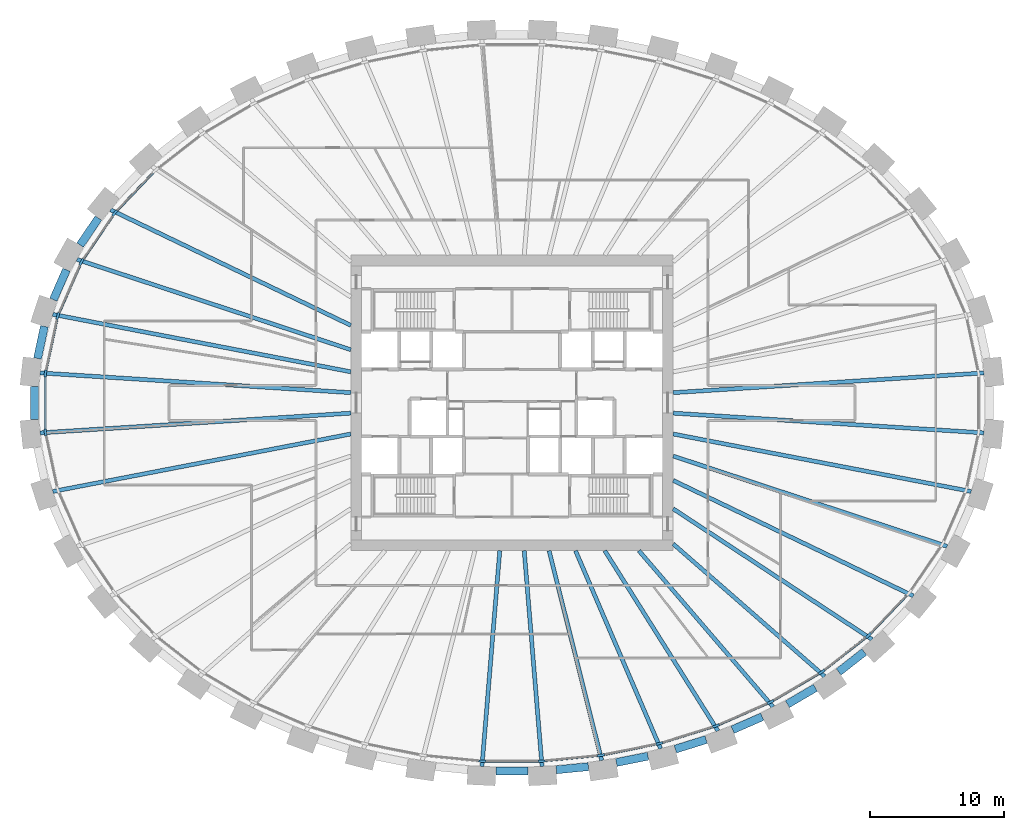
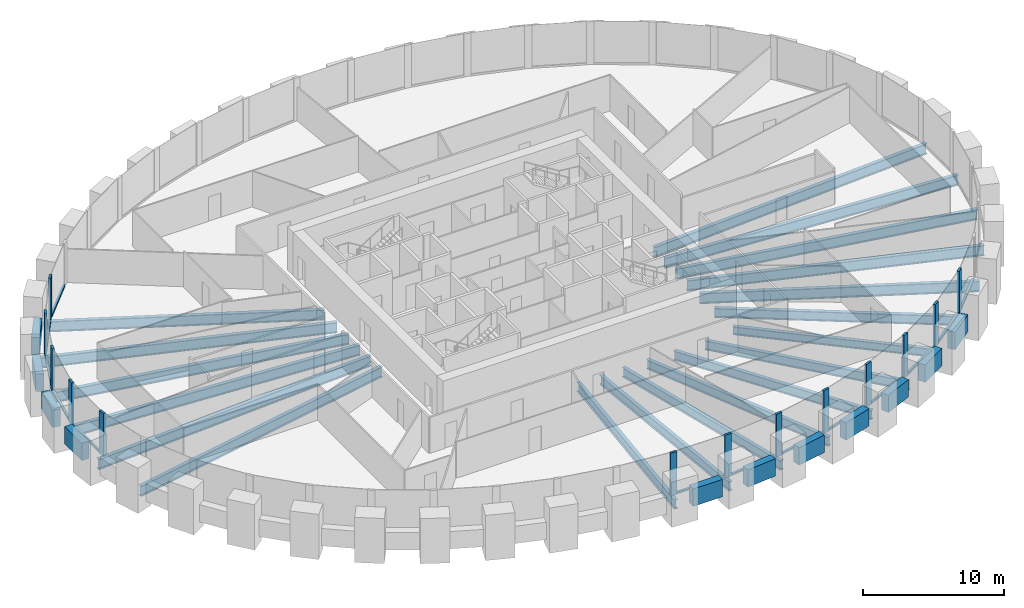
# One storey, part 2 of 11: 30 beams, 26 members, 1 element without a shape of its own.
"""IFC4 building model written with IfcOpenShell, lengths in metres."""

import ifcopenshell
import ifcopenshell.guid

model = None  # the IFC model being written
_history = None  # IfcOwnerHistory: only IFC2X3 demands one
_inside = {}  # id of a spatial element -> (the spatial element, [elements in it])
_under = {}  # id of a project, library or spatial element -> (it, [spatial elements below it])
_declared = {}  # id of a project -> (the project, [libraries it declares])
_typed = {}  # id of a type object -> (the type object, [elements of that type])
_made_of = {}  # id of a material, layer set ... -> (it, [elements and type objects made of it])


def new_model(schema):
    """Start an empty IFC model of exactly this schema.

    Asked for "IFC4X3", IfcOpenShell would pick the latest addendum, in which some entities
    have other attributes; the version numbers below select the first issue.
    IFC2X3 requires an IfcOwnerHistory on every rooted entity: one is made here for all.
    """
    global model, _history
    if schema == "IFC4X3":
        model = ifcopenshell.file(schema_version=(4, 3, 0, 0))
    else:
        model = ifcopenshell.file(schema=schema)
    _inside.clear()
    _under.clear()
    _declared.clear()
    _typed.clear()
    _made_of.clear()
    _history = None
    if model.schema == "IFC2X3":
        org = make("IfcOrganization", Name="unknown")
        user = make(
            "IfcPersonAndOrganization",
            ThePerson=make("IfcPerson", FamilyName="unknown"),
            TheOrganization=org,
        )
        app = make(
            "IfcApplication",
            ApplicationDeveloper=org,
            Version="unknown",
            ApplicationFullName="unknown",
            ApplicationIdentifier="unknown",
        )
        _history = make(
            "IfcOwnerHistory",
            OwningUser=user,
            OwningApplication=app,
            ChangeAction="ADDED",
            CreationDate=0,
        )
    return model


def make(cls, **values):
    """One entity of the class cls with the attributes given. An attribute that is None is left unset."""
    return model.create_entity(
        cls, **{name: value for name, value in values.items() if value is not None}
    )


def rooted(cls, **values):
    """An entity with a GlobalId (a new one), such as an element, a storey or a relation."""
    return make(cls, GlobalId=ifcopenshell.guid.new(), OwnerHistory=_history, **values)


def si_unit(unit_type, name, prefix=None):
    """IfcSIUnit, for example si_unit("LENGTHUNIT", "METRE", prefix="MILLI")."""
    return make("IfcSIUnit", UnitType=unit_type, Prefix=prefix, Name=name)


def assignment(units):
    """IfcUnitAssignment: the units of a project."""
    return None if units is None else make("IfcUnitAssignment", Units=units)


def point(xyz):
    """IfcCartesianPoint."""
    return None if xyz is None else make("IfcCartesianPoint", Coordinates=xyz)


def direction(xyz):
    """IfcDirection."""
    return None if xyz is None else make("IfcDirection", DirectionRatios=xyz)


def frame(location, z_axis=None, x_axis=None):
    """IfcAxis2Placement3D, a coordinate frame: its origin and axes. An axis left out is left unset."""
    return make(
        "IfcAxis2Placement3D",
        Location=point(location),
        Axis=direction(z_axis),
        RefDirection=direction(x_axis),
    )


def frame_2d(location, x_axis=None):
    """IfcAxis2Placement2D, a coordinate frame in the plane: its origin and x axis."""
    return make(
        "IfcAxis2Placement2D", Location=point(location), RefDirection=direction(x_axis)
    )


def origin():
    """The frame at (0, 0, 0) with its axes left unset."""
    return frame((0.0, 0.0, 0.0))


def origin_2d():
    """The frame at (0, 0) in the plane with its x axis left unset."""
    return frame_2d((0.0, 0.0))


def place(relative_to, where):
    """IfcLocalPlacement: puts the frame where relative to a parent placement (None: the world)."""
    return make(
        "IfcLocalPlacement", PlacementRelTo=relative_to, RelativePlacement=where
    )


def context(
    kind, dimensions, precision=None, world=None, true_north=None, identifier=None
):
    """IfcGeometricRepresentationContext, for example the 3D "Model" context."""
    return make(
        "IfcGeometricRepresentationContext",
        ContextIdentifier=identifier,
        ContextType=kind,
        CoordinateSpaceDimension=dimensions,
        Precision=precision,
        WorldCoordinateSystem=world,
        TrueNorth=true_north,
    )


def subcontext(parent, identifier, kind, view, scale=None):
    """IfcGeometricRepresentationSubContext, for example "Body" below "Model"."""
    return make(
        "IfcGeometricRepresentationSubContext",
        ContextIdentifier=identifier,
        ContextType=kind,
        ParentContext=parent,
        TargetScale=scale,
        TargetView=view,
    )


def project(units=None, contexts=None):
    """IfcProject with its units and contexts."""
    return rooted(
        "IfcProject",
        Name="project",
        RepresentationContexts=contexts,
        UnitsInContext=assignment(units),
    )


def spatial(cls, under=None, at=None, **own):
    """A site, building, storey or space (cls), placed at a placement, below another one or the project."""
    s = rooted(cls, ObjectPlacement=at, **own)
    if under is not None:
        _under.setdefault(under.id(), (under, []))[1].append(s)
    return s


def profile(cls, at=None, kind="AREA", **sizes):
    """A parametric profile (cls). Its sizes go by their IFC names, for example OverallWidth=200.0."""
    return make(cls, ProfileType=kind, Position=at, **sizes)


def rectangle(**sizes):
    """IfcRectangleProfileDef."""
    return profile("IfcRectangleProfileDef", **sizes)


def i_section(**sizes):
    """IfcIShapeProfileDef."""
    return profile("IfcIShapeProfileDef", **sizes)


def extrude(swept, where, along, depth):
    """IfcExtrudedAreaSolid: the profile swept, set in the frame where, extruded along a direction by depth."""
    return make(
        "IfcExtrudedAreaSolid",
        SweptArea=swept,
        Position=where,
        ExtrudedDirection=direction(along),
        Depth=depth,
    )


def shape(context_of_items, identifier, shape_type, items):
    """IfcShapeRepresentation: the items that make up one representation, for example the "Body"."""
    return make(
        "IfcShapeRepresentation",
        ContextOfItems=context_of_items,
        RepresentationIdentifier=identifier,
        RepresentationType=shape_type,
        Items=items,
    )


def source(mapping_origin, context_of_items, identifier, shape_type, items):
    """IfcRepresentationMap: a shape defined once, which mapped items show again and again."""
    return make(
        "IfcRepresentationMap",
        MappingOrigin=mapping_origin,
        MappedRepresentation=shape(context_of_items, identifier, shape_type, items),
    )


def transform(
    local_origin,
    x_axis=None,
    y_axis=None,
    z_axis=None,
    scale=None,
    scale2=None,
    scale3=None,
    uniform=True,
):
    """IfcCartesianTransformationOperator3D, or its non-uniform kind. x_axis, y_axis, z_axis: its Axis1, 2, 3."""
    if uniform:
        return make(
            "IfcCartesianTransformationOperator3D",
            Axis1=direction(x_axis),
            Axis2=direction(y_axis),
            LocalOrigin=point(local_origin),
            Scale=scale,
            Axis3=direction(z_axis),
        )
    return make(
        "IfcCartesianTransformationOperator3DnonUniform",
        Axis1=direction(x_axis),
        Axis2=direction(y_axis),
        LocalOrigin=point(local_origin),
        Scale=scale,
        Axis3=direction(z_axis),
        Scale2=scale2,
        Scale3=scale3,
    )


def mapped(mapping_source, mapping_target):
    """IfcMappedItem: shows the shape of a source again, moved by a transform."""
    return make(
        "IfcMappedItem", MappingSource=mapping_source, MappingTarget=mapping_target
    )


def material(Name=None, Category=None):
    """IfcMaterial."""
    return make("IfcMaterial", Name=Name, Category=Category)


def material_profile(
    of_material, cross_section, Name=None, Category=None, Priority=None
):
    """IfcMaterialProfile: a cross section and its material."""
    return make(
        "IfcMaterialProfile",
        Name=Name,
        Material=of_material,
        Profile=cross_section,
        Priority=Priority,
        Category=Category,
    )


def profile_set(profiles, Name=None, composite=None):
    """IfcMaterialProfileSet."""
    return make(
        "IfcMaterialProfileSet",
        Name=Name,
        MaterialProfiles=profiles,
        CompositeProfile=composite,
    )


def made_of(thing, what):
    """Note that an element or type object is made of a material, layer set ...; save() writes the relation."""
    if what is not None:
        _made_of.setdefault(what.id(), (what, []))[1].append(thing)
    return thing


def type_object(cls, material=None, **own):
    """A type object (cls), such as IfcWallType, which elements share."""
    return made_of(rooted(cls, **own), material)


def element(
    cls,
    number,
    at=None,
    inside=None,
    cuts=None,
    type_object=None,
    material=None,
    context=None,
    identifier="Body",
    shape_type=None,
    held_by="IfcProductDefinitionShape",
    body=None,
    shapes=None,
    **own,
):
    """One element of the class cls, such as IfcWall. Its Tag is "e" and its number.

    at: its placement. inside: the storey or other place that contains it. cuts: it is an
    opening in that element (IfcRelVoidsElement). A single representation is given by context,
    identifier, shape_type and body (its items); several are given by shapes. held_by: the class
    of the entity that holds the representations. save() writes the other relations.
    """
    e = rooted(cls, Tag="e%d" % number, ObjectPlacement=at, **own)
    if body is not None:
        shapes = [shape(context, identifier, shape_type, body)]
    if shapes is not None:
        e.Representation = make(held_by, Representations=shapes)
    if inside is not None:
        _inside.setdefault(inside.id(), (inside, []))[1].append(e)
    if cuts is not None:
        rooted(
            "IfcRelVoidsElement", RelatingBuildingElement=cuts, RelatedOpeningElement=e
        )
    if type_object is not None:
        _typed.setdefault(type_object.id(), (type_object, []))[1].append(e)
    return made_of(e, material)


def aggregate(whole, parts):
    """IfcRelAggregates: a whole, such as a stair, and the parts it consists of."""
    return rooted("IfcRelAggregates", RelatingObject=whole, RelatedObjects=parts)


def save(model, path):
    """Write the relations noted so far, then the file.

    IfcRelAggregates (storeys below a building ...), IfcRelContainedInSpatialStructure (elements
    in a storey), IfcRelDefinesByType, IfcRelAssociatesMaterial and IfcRelDeclares: one each for
    every whole, place, type object, material and project.
    """
    for whole, parts in _under.values():
        aggregate(whole, parts)
    for where, things in _inside.values():
        rooted(
            "IfcRelContainedInSpatialStructure",
            RelatedElements=things,
            RelatingStructure=where,
        )
    for kind, things in _typed.values():
        rooted("IfcRelDefinesByType", RelatedObjects=things, RelatingType=kind)
    for what, things in _made_of.values():
        rooted("IfcRelAssociatesMaterial", RelatedObjects=things, RelatingMaterial=what)
    for by, libraries in _declared.values():
        rooted("IfcRelDeclares", RelatingContext=by, RelatedDefinitions=libraries)
    model.write(path)


model = new_model("IFC4")

# Units and contexts
model_context = context("Model", 3, precision=1e-05, world=origin(), true_north=direction((0.0, 1.0)))
body_context = subcontext(model_context, "Body", "Model", "MODEL_VIEW")
ifc_project = project(units=[si_unit("LENGTHUNIT", "METRE"), si_unit("AREAUNIT", "SQUARE_METRE"), si_unit("VOLUMEUNIT", "CUBIC_METRE"), si_unit("PLANEANGLEUNIT", "RADIAN"), si_unit("MASSUNIT", "GRAM", prefix="KILO")], contexts=[model_context])

# Site, building, storey
site_placement = place(None, origin())
site = spatial("IfcSite", under=ifc_project, at=site_placement, CompositionType="ELEMENT")
building_placement = place(site_placement, origin())
building = spatial("IfcBuilding", under=site, at=building_placement, Name="Embergate Tower", CompositionType="ELEMENT")
storey_placement = place(building_placement, frame((0.0, 0.0, 199.5)))
storey = spatial("IfcBuildingStorey", under=building, at=storey_placement, Name="L45", CompositionType="ELEMENT", Elevation=199.5)

# Beams
ifc_material_1 = material(Name="Concrete C60", Category="concrete")
ifc_material_profile_1 = material_profile(ifc_material_1, rectangle(XDim=0.60009765625, YDim=1.5, at=origin_2d()), Name="RC 600x1500")
ifc_profile_set_1 = profile_set([ifc_material_profile_1], Name="Concrete C60")
beam_type_1 = type_object("IfcBeamType", Name="Spandrel beam RC 600x1500 C60", PredefinedType="BEAM", material=ifc_profile_set_1)
shared_shape_1 = source(origin(), body_context, "Body", "SweptSolid", [
    extrude(rectangle(XDim=0.60009765625, YDim=1.5, at=origin_2d()), origin(), (0.0, 0.0, 1.0), 2.438720703125),
])
beam_1_placement = place(storey_placement, frame((-34.806884765625, 5.693115234375, 0.0), z_axis=(-0.210438320614, -0.977607136439, 0.0), x_axis=(0.977607136439, -0.210438320614, 0.0)))
element("IfcBeam", 1, at=beam_1_placement, inside=storey, type_object=beam_type_1, Name="SPN-L45-20", PredefinedType="BEAM", context=body_context, shape_type="MappedRepresentation", body=[
    mapped(shared_shape_1, transform((0.0, 0.0, 0.0))),
])
shared_shape_2 = source(origin(), body_context, "Body", "SweptSolid", [
    extrude(rectangle(XDim=0.60009765625, YDim=1.5, at=origin_2d()), origin(), (0.0, 0.0, 1.0), 2.431884765625),
])
beam_2_placement = place(storey_placement, frame((-33.1650390625, 9.912109375, 0.0), z_axis=(-0.401756025311, -0.915746742351, 0.0), x_axis=(0.915746742351, -0.401756025311, 0.0)))
element("IfcBeam", 2, at=beam_2_placement, inside=storey, type_object=beam_type_1, Name="SPN-L45-19", PredefinedType="BEAM", context=body_context, shape_type="MappedRepresentation", body=[
    mapped(shared_shape_2, transform((0.0, 0.0, 0.0))),
])
shared_shape_3 = source(origin(), body_context, "Body", "SweptSolid", [
    extrude(rectangle(XDim=0.60009765625, YDim=1.5, at=origin_2d()), origin(), (0.0, 0.0, 1.0), 2.42724609375),
])
beam_3_placement = place(storey_placement, frame((-30.783935546875, 13.756103515625, 0.0), z_axis=(-0.562359541569, -0.826892826191, 0.0), x_axis=(0.826892826191, -0.562359541569, 0.0)))
element("IfcBeam", 3, at=beam_3_placement, inside=storey, type_object=beam_type_1, Name="SPN-L45-18", PredefinedType="BEAM", context=body_context, shape_type="MappedRepresentation", body=[
    mapped(shared_shape_3, transform((0.0, 0.0, 0.0))),
])
shared_shape_4 = source(origin(), body_context, "Body", "SweptSolid", [
    extrude(rectangle(XDim=0.60009765625, YDim=1.5, at=origin_2d()), origin(), (0.0, 0.0, 1.0), 2.4150390625),
])
beam_4_placement = place(storey_placement, frame((24.319091796875, -20.02392578125, 0.0), z_axis=(0.788327742651, 0.615255532415, 0.0), x_axis=(-0.615255532415, 0.788327742651, 0.0)))
element("IfcBeam", 4, at=beam_4_placement, inside=storey, type_object=beam_type_1, Name="SPN-L45-38", PredefinedType="BEAM", context=body_context, shape_type="MappedRepresentation", body=[
    mapped(shared_shape_4, transform((0.0, 0.0, 0.0))),
])
shared_shape_5 = source(origin(), body_context, "Body", "SweptSolid", [
    extrude(rectangle(XDim=0.60009765625, YDim=1.5, at=origin_2d()), origin(), (0.0, 0.0, 1.0), 2.41015625),
])
beam_5_placement = place(storey_placement, frame((20.50390625, -22.426025390625, 0.0), z_axis=(0.862202298523, 0.506564108895, 0.0), x_axis=(-0.506564108895, 0.862202298523, 0.0)))
element("IfcBeam", 5, at=beam_5_placement, inside=storey, type_object=beam_type_1, Name="SPN-L45-37", PredefinedType="BEAM", context=body_context, shape_type="MappedRepresentation", body=[
    mapped(shared_shape_5, transform((0.0, 0.0, 0.0))),
])
shared_shape_6 = source(origin(), body_context, "Body", "SweptSolid", [
    extrude(rectangle(XDim=0.60009765625, YDim=1.5, at=origin_2d()), origin(), (0.0, 0.0, 1.0), 2.407470703125),
])
beam_6_placement = place(storey_placement, frame((16.4189453125, -24.326904296875, 0.0), z_axis=(0.916352733651, 0.400371911515, 0.0), x_axis=(-0.400371911515, 0.916352733651, 0.0)))
element("IfcBeam", 6, at=beam_6_placement, inside=storey, type_object=beam_type_1, Name="SPN-L45-36", PredefinedType="BEAM", context=body_context, shape_type="MappedRepresentation", body=[
    mapped(shared_shape_6, transform((0.0, 0.0, 0.0))),
])
shared_shape_7 = source(origin(), body_context, "Body", "SweptSolid", [
    extrude(rectangle(XDim=0.60009765625, YDim=1.5, at=origin_2d()), origin(), (0.0, 0.0, 1.0), 2.404541015625),
])
beam_7_placement = place(storey_placement, frame((12.156005859375, -25.77587890625, 0.0), z_axis=(0.954790193156, 0.297280485491, 0.0), x_axis=(-0.297280485491, 0.954790193156, 0.0)))
element("IfcBeam", 7, at=beam_7_placement, inside=storey, type_object=beam_type_1, Name="SPN-L45-35", PredefinedType="BEAM", context=body_context, shape_type="MappedRepresentation", body=[
    mapped(shared_shape_7, transform((0.0, 0.0, 0.0))),
])
shared_shape_8 = source(origin(), body_context, "Body", "SweptSolid", [
    extrude(rectangle(XDim=0.60009765625, YDim=1.5, at=origin_2d()), origin(), (0.0, 0.0, 1.0), 2.40185546875),
])
for number, where, z_axis, x_axis, name in (
    (8, (-1.200927734375, -27.416015625, 0.0), (1.0, 0.0, 0.0), (0.0, 1.0, 0.0), "SPN-L45-32"),
    (9, (7.76611328125, -26.76806640625, 0.0), (0.980486735487, 0.196585252585, 0.0), (-0.196585252585, 0.980486735487, 0.0), "SPN-L45-34"),
):
    element("IfcBeam", number, at=place(storey_placement, frame(where, z_axis=z_axis, x_axis=x_axis)), inside=storey, type_object=beam_type_1, Name=name, PredefinedType="BEAM", context=body_context, shape_type="MappedRepresentation", body=[
        mapped(shared_shape_8, transform((0.0, 0.0, 0.0))),
    ])
shared_shape_9 = source(origin(), body_context, "Body", "SweptSolid", [
    extrude(rectangle(XDim=0.60009765625, YDim=1.5, at=origin_2d()), origin(), (0.0, 0.0, 1.0), 2.4013671875),
])
beam_8_placement = place(storey_placement, frame((3.299072265625, -27.31298828125, 0.0), z_axis=(0.995195949519, 0.097903125895, 0.0), x_axis=(-0.097903125895, 0.995195949519, 0.0)))
element("IfcBeam", 10, at=beam_8_placement, inside=storey, type_object=beam_type_1, Name="SPN-L45-33", PredefinedType="BEAM", context=body_context, shape_type="MappedRepresentation", body=[
    mapped(shared_shape_9, transform((0.0, 0.0, 0.0))),
])
shared_shape_10 = source(origin(), body_context, "Body", "SweptSolid", [
    extrude(rectangle(XDim=0.60009765625, YDim=1.5, at=origin_2d()), origin(), (0.0, 0.0, 1.0), 2.43994140625),
])
beam_9_placement = place(storey_placement, frame((-35.5419921875, 1.219970703125, 0.0), z_axis=(0.0, -1.0, 0.0), x_axis=(1.0, 0.0, 0.0)))
element("IfcBeam", 11, at=beam_9_placement, inside=storey, type_object=beam_type_1, Name="SPN-L45-21", PredefinedType="BEAM", context=body_context, shape_type="MappedRepresentation", body=[
    mapped(shared_shape_10, transform((0.0, 0.0, 0.0))),
])
ifc_material_2 = material(Name="Steel Q355B", Category="steel")
ifc_material_profile_2 = material_profile(ifc_material_2, i_section(OverallWidth=0.300048828125, OverallDepth=0.89990234375, WebThickness=0.01611328125, FlangeThickness=0.028076171875, FilletRadius=0.028076171875, at=origin_2d()), Name="HN 900x300x16x28")
ifc_profile_set_2 = profile_set([ifc_material_profile_2], Name="Steel Q355 grade B")
beam_type_2 = type_object("IfcBeamType", Name="Radial girder HN 900x300x16x28", PredefinedType="BEAM", material=ifc_profile_set_2)
shared_shape_11 = source(origin(), body_context, "Body", "SweptSolid", [
    extrude(i_section(OverallWidth=0.300048828125, OverallDepth=0.89990234375, WebThickness=0.01611328125, FlangeThickness=0.028076171875, FilletRadius=0.028076171875, at=origin_2d()), origin(), (0.0, 0.0, 1.0), 23.168701171875),
])
for number, where, z_axis, x_axis, name in (
    (12, (35.1220703125, 2.23095703125, -0.64990234375), (-0.997987923886, -0.063404288318, 0.0), (0.063404288318, -0.997987923886, 0.0), "GIR-L45-00"),
    (13, (-35.1220703125, 2.23095703125, -0.64990234375), (0.997987923886, -0.063404288318, 0.0), (0.063404288318, 0.997987923886, 0.0), "GIR-L45-21"),
    (14, (-35.1220703125, -2.23095703125, -0.64990234375), (0.997987923886, 0.063404288318, 0.0), (-0.063404288318, 0.997987923886, 0.0), "GIR-L45-22"),
    (15, (35.1220703125, -2.23095703125, -0.64990234375), (-0.997987923886, 0.063404288318, 0.0), (-0.063404288318, -0.997987923886, 0.0), "GIR-L45-43"),
):
    element("IfcBeam", number, at=place(storey_placement, frame(where, z_axis=z_axis, x_axis=x_axis)), inside=storey, type_object=beam_type_2, Name=name, PredefinedType="BEAM", context=body_context, shape_type="MappedRepresentation", body=[
        mapped(shared_shape_11, transform((0.0, 0.0, 0.0))),
    ])
shared_shape_12 = source(origin(), body_context, "Body", "SweptSolid", [
    extrude(i_section(OverallWidth=0.300048828125, OverallDepth=0.89990234375, WebThickness=0.01611328125, FlangeThickness=0.028076171875, FilletRadius=0.028076171875, at=origin_2d()), origin(), (0.0, 0.0, 1.0), 22.592041015625),
])
for number, where, z_axis, x_axis, name in (
    (16, (-34.18310546875, 6.593994140625, -0.64990234375), (0.98189899441, -0.189405292367, 0.0), (0.189405292367, 0.98189899441, 0.0), "GIR-L45-20"),
    (17, (-34.18310546875, -6.593994140625, -0.64990234375), (0.98189899441, 0.189405292367, 0.0), (-0.189405292367, 0.98189899441, 0.0), "GIR-L45-23"),
    (18, (34.18310546875, -6.593994140625, -0.64990234375), (-0.98189899441, 0.189405292367, 0.0), (-0.189405292367, -0.98189899441, 0.0), "GIR-L45-42"),
):
    element("IfcBeam", number, at=place(storey_placement, frame(where, z_axis=z_axis, x_axis=x_axis)), inside=storey, type_object=beam_type_2, Name=name, PredefinedType="BEAM", context=body_context, shape_type="MappedRepresentation", body=[
        mapped(shared_shape_12, transform((0.0, 0.0, 0.0))),
    ])
shared_shape_13 = source(origin(), body_context, "Body", "SweptSolid", [
    extrude(i_section(OverallWidth=0.300048828125, OverallDepth=0.89990234375, WebThickness=0.01611328125, FlangeThickness=0.028076171875, FilletRadius=0.028076171875, at=origin_2d()), origin(), (0.0, 0.0, 1.0), 21.47119140625),
])
for number, where, z_axis, x_axis, name in (
    (19, (-32.39111328125, 10.681884765625, -0.64990234375), (0.949700564112, -0.313159445849, 0.0), (0.313159445849, 0.949700564112, 0.0), "GIR-L45-19"),
    (20, (32.39111328125, -10.681884765625, -0.64990234375), (-0.949700564112, 0.313159445849, 0.0), (-0.313159445849, -0.949700564112, 0.0), "GIR-L45-41"),
):
    element("IfcBeam", number, at=place(storey_placement, frame(where, z_axis=z_axis, x_axis=x_axis)), inside=storey, type_object=beam_type_2, Name=name, PredefinedType="BEAM", context=body_context, shape_type="MappedRepresentation", body=[
        mapped(shared_shape_13, transform((0.0, 0.0, 0.0))),
    ])
shared_shape_14 = source(origin(), body_context, "Body", "SweptSolid", [
    extrude(i_section(OverallWidth=0.300048828125, OverallDepth=0.89990234375, WebThickness=0.01611328125, FlangeThickness=0.028076171875, FilletRadius=0.028076171875, at=origin_2d()), origin(), (0.0, 0.0, 1.0), 19.841064453125),
])
for number, where, z_axis, x_axis, name in (
    (21, (-29.8798828125, 14.3740234375, -0.64990234375), (0.901154450988, -0.433498160854, 0.0), (0.433498160854, 0.901154450988, 0.0), "GIR-L45-18"),
    (22, (29.8798828125, -14.3740234375, -0.64990234375), (-0.901154450988, 0.433498160854, 0.0), (-0.433498160854, -0.901154450988, 0.0), "GIR-L45-40"),
):
    element("IfcBeam", number, at=place(storey_placement, frame(where, z_axis=z_axis, x_axis=x_axis)), inside=storey, type_object=beam_type_2, Name=name, PredefinedType="BEAM", context=body_context, shape_type="MappedRepresentation", body=[
        mapped(shared_shape_14, transform((0.0, 0.0, 0.0))),
    ])
ifc_material_profile_3 = material_profile(ifc_material_2, i_section(OverallWidth=0.300048828125, OverallDepth=0.800048828125, WebThickness=0.013916015625, FlangeThickness=0.02587890625, FilletRadius=0.028076171875, at=origin_2d()), Name="HN 800x300x14x26")
ifc_profile_set_3 = profile_set([ifc_material_profile_3], Name="Steel Q355 grade B")
beam_type_3 = type_object("IfcBeamType", Name="Radial girder HN 800x300x14x26", PredefinedType="BEAM", material=ifc_profile_set_3)
shared_shape_15 = source(origin(), body_context, "Body", "SweptSolid", [
    extrude(i_section(OverallWidth=0.300048828125, OverallDepth=0.800048828125, WebThickness=0.013916015625, FlangeThickness=0.02587890625, FilletRadius=0.028076171875, at=origin_2d()), origin(), (0.0, 0.0, 1.0), 17.70654296875),
])
beam_10_placement = place(storey_placement, frame((26.798095703125, -17.60693359375, -0.60009765625), z_axis=(-0.835745977406, 0.549116254767, 0.0), x_axis=(-0.549116254767, -0.835745977406, 0.0)))
element("IfcBeam", 23, at=beam_10_placement, inside=storey, type_object=beam_type_3, Name="GIR-L45-39", PredefinedType="BEAM", context=body_context, shape_type="MappedRepresentation", body=[
    mapped(shared_shape_15, transform((0.0, 0.0, 0.0))),
])
ifc_material_profile_4 = material_profile(ifc_material_2, i_section(OverallWidth=0.300048828125, OverallDepth=0.699951171875, WebThickness=0.012939453125, FlangeThickness=0.02392578125, FilletRadius=0.01806640625, at=origin_2d()), Name="HN 700x300x13x24")
ifc_profile_set_4 = profile_set([ifc_material_profile_4], Name="Steel Q355 grade B")
beam_type_4 = type_object("IfcBeamType", Name="Radial girder HN 700x300x13x24", PredefinedType="BEAM", material=ifc_profile_set_4)
shared_shape_16 = source(origin(), body_context, "Body", "SweptSolid", [
    extrude(i_section(OverallWidth=0.300048828125, OverallDepth=0.699951171875, WebThickness=0.012939453125, FlangeThickness=0.02392578125, FilletRadius=0.01806640625, at=origin_2d()), origin(), (0.0, 0.0, 1.0), 14.9794921875),
])
beam_11_placement = place(storey_placement, frame((23.27587890625, -20.35595703125, -0.550048828125), z_axis=(-0.752760419663, 0.658294577365, 0.0), x_axis=(-0.658294577365, -0.752760419663, 0.0)))
element("IfcBeam", 24, at=beam_11_placement, inside=storey, type_object=beam_type_4, Name="GIR-L45-38", PredefinedType="BEAM", context=body_context, shape_type="MappedRepresentation", body=[
    mapped(shared_shape_16, transform((0.0, 0.0, 0.0))),
])
shared_shape_17 = source(origin(), body_context, "Body", "SweptSolid", [
    extrude(i_section(OverallWidth=0.300048828125, OverallDepth=0.800048828125, WebThickness=0.013916015625, FlangeThickness=0.02587890625, FilletRadius=0.028076171875, at=origin_2d()), origin(), (0.0, 0.0, 1.0), 15.31689453125),
])
beam_12_placement = place(storey_placement, frame((19.425048828125, -22.6201171875, -0.60009765625), z_axis=(-0.651502542644, 0.758646450548, 0.0), x_axis=(-0.758646450548, -0.651502542644, 0.0)))
element("IfcBeam", 25, at=beam_12_placement, inside=storey, type_object=beam_type_3, Name="GIR-L45-37", PredefinedType="BEAM", context=body_context, shape_type="MappedRepresentation", body=[
    mapped(shared_shape_17, transform((0.0, 0.0, 0.0))),
])
shared_shape_18 = source(origin(), body_context, "Body", "SweptSolid", [
    extrude(i_section(OverallWidth=0.300048828125, OverallDepth=0.800048828125, WebThickness=0.013916015625, FlangeThickness=0.02587890625, FilletRadius=0.028076171875, at=origin_2d()), origin(), (0.0, 0.0, 1.0), 15.836181640625),
])
beam_13_placement = place(storey_placement, frame((15.330078125, -24.410888671875, -0.60009765625), z_axis=(-0.531828302788, 0.846852204552, 0.0), x_axis=(-0.846852204552, -0.531828302788, 0.0)))
element("IfcBeam", 26, at=beam_13_placement, inside=storey, type_object=beam_type_3, Name="GIR-L45-36", PredefinedType="BEAM", context=body_context, shape_type="MappedRepresentation", body=[
    mapped(shared_shape_18, transform((0.0, 0.0, 0.0))),
])
shared_shape_19 = source(origin(), body_context, "Body", "SweptSolid", [
    extrude(i_section(OverallWidth=0.300048828125, OverallDepth=0.800048828125, WebThickness=0.013916015625, FlangeThickness=0.02587890625, FilletRadius=0.028076171875, at=origin_2d()), origin(), (0.0, 0.0, 1.0), 16.043701171875),
])
beam_14_placement = place(storey_placement, frame((11.06298828125, -25.739990234375, -0.60009765625), z_axis=(-0.394857578675, 0.918742342859, 0.0), x_axis=(-0.918742342859, -0.394857578675, 0.0)))
element("IfcBeam", 27, at=beam_14_placement, inside=storey, type_object=beam_type_3, Name="GIR-L45-35", PredefinedType="BEAM", context=body_context, shape_type="MappedRepresentation", body=[
    mapped(shared_shape_19, transform((0.0, 0.0, 0.0))),
])
shared_shape_20 = source(origin(), body_context, "Body", "SweptSolid", [
    extrude(i_section(OverallWidth=0.300048828125, OverallDepth=0.800048828125, WebThickness=0.013916015625, FlangeThickness=0.02587890625, FilletRadius=0.028076171875, at=origin_2d()), origin(), (0.0, 0.0, 1.0), 16.103515625),
])
beam_15_placement = place(storey_placement, frame((6.681884765625, -26.618896484375, -0.60009765625), z_axis=(-0.243480824062, 0.969905711043, 0.0), x_axis=(-0.969905711043, -0.243480824062, 0.0)))
element("IfcBeam", 28, at=beam_15_placement, inside=storey, type_object=beam_type_3, Name="GIR-L45-34", PredefinedType="BEAM", context=body_context, shape_type="MappedRepresentation", body=[
    mapped(shared_shape_20, transform((0.0, 0.0, 0.0))),
])
shared_shape_21 = source(origin(), body_context, "Body", "SweptSolid", [
    extrude(i_section(OverallWidth=0.300048828125, OverallDepth=0.800048828125, WebThickness=0.013916015625, FlangeThickness=0.02587890625, FilletRadius=0.028076171875, at=origin_2d()), origin(), (0.0, 0.0, 1.0), 16.110595703125),
])
for number, where, z_axis, x_axis, name in (
    (29, (-2.235107421875, -27.055908203125, -0.60009765625), (0.082316809043, 0.996606212578, 0.0), (-0.996606212578, 0.082316809043, 0.0), "GIR-L45-32"),
    (30, (2.235107421875, -27.055908203125, -0.60009765625), (-0.082316809043, 0.996606212578, 0.0), (-0.996606212578, -0.082316809043, 0.0), "GIR-L45-33"),
):
    element("IfcBeam", number, at=place(storey_placement, frame(where, z_axis=z_axis, x_axis=x_axis)), inside=storey, type_object=beam_type_3, Name=name, PredefinedType="BEAM", context=body_context, shape_type="MappedRepresentation", body=[
        mapped(shared_shape_21, transform((0.0, 0.0, 0.0))),
    ])

# Curtain wall, members
ifc_material_3 = material(Name="Aluminium and glass", Category="aluminium")
curtain_wall_type = type_object("IfcCurtainWallType", Name="Recessed office glazing", PredefinedType="NOTDEFINED", material=ifc_material_3)
curtain_wall_placement = place(storey_placement, origin())
curtain_wall = element("IfcCurtainWall", 31, at=curtain_wall_placement, inside=storey, type_object=curtain_wall_type, Name="Recessed office glazing ring", ObjectType="RECESSED OFFICE GLAZING", PredefinedType="USERDEFINED")
ifc_material_4 = material(Name="Aluminium, thermally broken", Category="aluminium")
ifc_material_profile_5 = material_profile(ifc_material_4, rectangle(XDim=0.179931640625, YDim=0.52001953125, at=origin_2d()), Name="AL 520x180")
ifc_profile_set_5 = profile_set([ifc_material_profile_5], Name="Aluminium, thermally broken")
member_type_1 = type_object("IfcMemberType", Name="Office mullion", PredefinedType="MULLION", material=ifc_profile_set_5)
shared_shape_22 = source(origin(), body_context, "Body", "SweptSolid", [
    extrude(rectangle(XDim=0.179931640625, YDim=0.52001953125, at=origin_2d()), origin(), (0.0, 0.0, 1.0), 3.699951171875),
])
member_1_placement = place(storey_placement, frame((-29.577392578125, 14.128662109375, 0.0), z_axis=(0.0, 0.0, 1.0), x_axis=(0.777879145133, -0.628413904658, 0.0)))
member_1 = element("IfcMember", 32, at=member_1_placement, type_object=member_type_1, Name="CW mullion 19", PredefinedType="MULLION", context=body_context, shape_type="MappedRepresentation", body=[
    mapped(shared_shape_22, transform((0.0, 0.0, 0.0))),
])
member_2_placement = place(storey_placement, frame((-32.050048828125, 10.492431640625, 0.0), z_axis=(0.0, 0.0, 1.0), x_axis=(0.875006120538, -0.484111855898, 0.0)))
member_2 = element("IfcMember", 33, at=member_2_placement, type_object=member_type_1, Name="CW mullion 20", PredefinedType="MULLION", context=body_context, shape_type="MappedRepresentation", body=[
    mapped(shared_shape_22, transform((0.0, 0.0, 0.0))),
])
member_3_placement = place(storey_placement, frame((-33.812744140625, 6.473388671875, 0.0), z_axis=(0.0, 0.0, 1.0), x_axis=(0.95149940886, -0.307650572791, 0.0)))
member_3 = element("IfcMember", 34, at=member_3_placement, type_object=member_type_1, Name="CW mullion 21", PredefinedType="MULLION", context=body_context, shape_type="MappedRepresentation", body=[
    mapped(shared_shape_22, transform((0.0, 0.0, 0.0))),
])
member_4_placement = place(storey_placement, frame((-34.734619140625, 2.189697265625, 0.0), z_axis=(0.0, 0.0, 1.0), x_axis=(0.994385139431, -0.105821521816, 0.0)))
member_4 = element("IfcMember", 35, at=member_4_placement, type_object=member_type_1, Name="CW mullion 22", PredefinedType="MULLION", context=body_context, shape_type="MappedRepresentation", body=[
    mapped(shared_shape_22, transform((0.0, 0.0, 0.0))),
])
member_5_placement = place(storey_placement, frame((-34.734619140625, -2.189697265625, 0.0), z_axis=(0.0, 0.0, 1.0), x_axis=(0.994385139431, 0.105821521816, 0.0)))
member_5 = element("IfcMember", 36, at=member_5_placement, type_object=member_type_1, Name="CW mullion 23", PredefinedType="MULLION", context=body_context, shape_type="MappedRepresentation", body=[
    mapped(shared_shape_22, transform((0.0, 0.0, 0.0))),
])
member_6_placement = place(storey_placement, frame((-2.215576171875, -26.666015625, 0.0), z_axis=(0.0, 0.0, 1.0), x_axis=(0.048971796621, 0.998800161762, 0.0)))
member_6 = element("IfcMember", 37, at=member_6_placement, type_object=member_type_1, Name="CW mullion 33", PredefinedType="MULLION", context=body_context, shape_type="MappedRepresentation", body=[
    mapped(shared_shape_22, transform((0.0, 0.0, 0.0))),
])
member_7_placement = place(storey_placement, frame((2.215576171875, -26.666015625, 0.0), z_axis=(0.0, 0.0, 1.0), x_axis=(-0.048971796621, 0.998800161762, 0.0)))
member_7 = element("IfcMember", 38, at=member_7_placement, type_object=member_type_1, Name="CW mullion 34", PredefinedType="MULLION", context=body_context, shape_type="MappedRepresentation", body=[
    mapped(shared_shape_22, transform((0.0, 0.0, 0.0))),
])
member_8_placement = place(storey_placement, frame((6.624755859375, -26.232421875, 0.0), z_axis=(0.0, 0.0, 1.0), x_axis=(-0.147415835341, 0.989074603602, 0.0)))
member_8 = element("IfcMember", 39, at=member_8_placement, type_object=member_type_1, Name="CW mullion 35", PredefinedType="MULLION", context=body_context, shape_type="MappedRepresentation", body=[
    mapped(shared_shape_22, transform((0.0, 0.0, 0.0))),
])
member_9_placement = place(storey_placement, frame((10.967529296875, -25.361572265625, 0.0), z_axis=(0.0, 0.0, 1.0), x_axis=(-0.247318645812, 0.968934201808, 0.0)))
member_9 = element("IfcMember", 40, at=member_9_placement, type_object=member_type_1, Name="CW mullion 36", PredefinedType="MULLION", context=body_context, shape_type="MappedRepresentation", body=[
    mapped(shared_shape_22, transform((0.0, 0.0, 0.0))),
])
member_10_placement = place(storey_placement, frame((15.194580078125, -24.045166015625, 0.0), z_axis=(0.0, 0.0, 1.0), x_axis=(-0.349510859141, 0.936932313106, 0.0)))
member_10 = element("IfcMember", 41, at=member_10_placement, type_object=member_type_1, Name="CW mullion 37", PredefinedType="MULLION", context=body_context, shape_type="MappedRepresentation", body=[
    mapped(shared_shape_22, transform((0.0, 0.0, 0.0))),
])
member_11_placement = place(storey_placement, frame((19.247802734375, -22.272705078125, 0.0), z_axis=(0.0, 0.0, 1.0), x_axis=(-0.454520708319, 0.890736170653, 0.0)))
member_11 = element("IfcMember", 42, at=member_11_placement, type_object=member_type_1, Name="CW mullion 38", PredefinedType="MULLION", context=body_context, shape_type="MappedRepresentation", body=[
    mapped(shared_shape_22, transform((0.0, 0.0, 0.0))),
])
member_12_placement = place(storey_placement, frame((23.057373046875, -20.03271484375, 0.0), z_axis=(0.0, 0.0, 1.0), x_axis=(-0.562226278725, 0.826983440893, 0.0)))
member_12 = element("IfcMember", 43, at=member_12_placement, type_object=member_type_1, Name="CW mullion 39", PredefinedType="MULLION", context=body_context, shape_type="MappedRepresentation", body=[
    mapped(shared_shape_22, transform((0.0, 0.0, 0.0))),
])
member_13_placement = place(storey_placement, frame((26.53662109375, -17.3173828125, 0.0), z_axis=(0.0, 0.0, 1.0), x_axis=(-0.671235590011, 0.741244077684, 0.0)))
member_13 = element("IfcMember", 44, at=member_13_placement, type_object=member_type_1, Name="CW mullion 40", PredefinedType="MULLION", context=body_context, shape_type="MappedRepresentation", body=[
    mapped(shared_shape_22, transform((0.0, 0.0, 0.0))),
])
ifc_material_profile_6 = material_profile(ifc_material_4, rectangle(XDim=0.179931640625, YDim=0.14990234375, at=origin_2d()), Name="AL 150x180")
ifc_profile_set_6 = profile_set([ifc_material_profile_6], Name="Aluminium, thermally broken")
member_type_2 = type_object("IfcMemberType", Name="Office sill transom", PredefinedType="USERDEFINED", material=ifc_profile_set_6)
shared_shape_23 = source(origin(), body_context, "Body", "SweptSolid", [
    extrude(rectangle(XDim=0.179931640625, YDim=0.14990234375, at=origin_2d()), origin(), (0.0, 0.0, 1.0), 3.861572265625),
])
member_14_placement = place(storey_placement, frame((-33.867431640625, 6.218994140625, 0.074951171875), z_axis=(-0.210405488485, -0.97761420326, 0.0), x_axis=(0.97761420326, -0.210405488485, 0.0)))
member_14 = element("IfcMember", 45, at=member_14_placement, type_object=member_type_2, Name="CW transom 21.1", ObjectType="TRANSOM", PredefinedType="USERDEFINED", context=body_context, shape_type="MappedRepresentation", body=[
    mapped(shared_shape_23, transform((0.0, 0.0, 0.0))),
])
shared_shape_24 = source(origin(), body_context, "Body", "SweptSolid", [
    extrude(rectangle(XDim=0.179931640625, YDim=0.14990234375, at=origin_2d()), origin(), (0.0, 0.0, 1.0), 3.86865234375),
])
member_15_placement = place(storey_placement, frame((-32.154541015625, 10.25439453125, 0.074951171875), z_axis=(-0.401613211287, -0.915809384381, 0.0), x_axis=(0.915809384381, -0.401613211287, 0.0)))
member_15 = element("IfcMember", 46, at=member_15_placement, type_object=member_type_2, Name="CW transom 20.1", ObjectType="TRANSOM", PredefinedType="USERDEFINED", context=body_context, shape_type="MappedRepresentation", body=[
    mapped(shared_shape_24, transform((0.0, 0.0, 0.0))),
])
shared_shape_25 = source(origin(), body_context, "Body", "SweptSolid", [
    extrude(rectangle(XDim=0.179931640625, YDim=0.14990234375, at=origin_2d()), origin(), (0.0, 0.0, 1.0), 3.87744140625),
])
member_16_placement = place(storey_placement, frame((-29.723388671875, 13.913818359375, 0.074951171875), z_axis=(-0.562334132223, -0.826910106201, 0.0), x_axis=(0.826910106201, -0.562334132223, 0.0)))
member_16 = element("IfcMember", 47, at=member_16_placement, type_object=member_type_2, Name="CW transom 19.1", ObjectType="TRANSOM", PredefinedType="USERDEFINED", context=body_context, shape_type="MappedRepresentation", body=[
    mapped(shared_shape_25, transform((0.0, 0.0, 0.0))),
])
shared_shape_26 = source(origin(), body_context, "Body", "SweptSolid", [
    extrude(rectangle(XDim=0.179931640625, YDim=0.14990234375, at=origin_2d()), origin(), (0.0, 0.0, 1.0), 3.885986328125),
])
member_17_placement = place(storey_placement, frame((-26.716064453125, 17.129150390625, 0.074951171875), z_axis=(-0.690100588862, -0.723713463501, 0.0), x_axis=(0.723713463501, -0.690100588862, 0.0)))
member_17 = element("IfcMember", 48, at=member_17_placement, type_object=member_type_2, Name="CW transom 18.1", ObjectType="TRANSOM", PredefinedType="USERDEFINED", context=body_context, shape_type="MappedRepresentation", body=[
    mapped(shared_shape_26, transform((0.0, 0.0, 0.0))),
])
member_18_placement = place(storey_placement, frame((26.716064453125, -17.129150390625, 0.074951171875), z_axis=(0.690100588862, 0.723713463501, 0.0), x_axis=(-0.723713463501, 0.690100588862, 0.0)))
member_18 = element("IfcMember", 49, at=member_18_placement, type_object=member_type_2, Name="CW transom 40.1", ObjectType="TRANSOM", PredefinedType="USERDEFINED", context=body_context, shape_type="MappedRepresentation", body=[
    mapped(shared_shape_26, transform((0.0, 0.0, 0.0))),
])
shared_shape_27 = source(origin(), body_context, "Body", "SweptSolid", [
    extrude(rectangle(XDim=0.179931640625, YDim=0.14990234375, at=origin_2d()), origin(), (0.0, 0.0, 1.0), 3.893310546875),
])
member_19_placement = place(storey_placement, frame((23.262451171875, -19.872802734375, 0.074951171875), z_axis=(0.788300946637, 0.615289864641, 0.0), x_axis=(-0.615289864641, 0.788300946637, 0.0)))
member_19 = element("IfcMember", 50, at=member_19_placement, type_object=member_type_2, Name="CW transom 39.1", ObjectType="TRANSOM", PredefinedType="USERDEFINED", context=body_context, shape_type="MappedRepresentation", body=[
    mapped(shared_shape_27, transform((0.0, 0.0, 0.0))),
])
shared_shape_28 = source(origin(), body_context, "Body", "SweptSolid", [
    extrude(rectangle(XDim=0.179931640625, YDim=0.14990234375, at=origin_2d()), origin(), (0.0, 0.0, 1.0), 3.899169921875),
])
member_20_placement = place(storey_placement, frame((19.471923828125, -22.140869140625, 0.074951171875), z_axis=(0.862038818014, 0.50684225972, 0.0), x_axis=(-0.50684225972, 0.862038818014, 0.0)))
member_20 = element("IfcMember", 51, at=member_20_placement, type_object=member_type_2, Name="CW transom 38.1", ObjectType="TRANSOM", PredefinedType="USERDEFINED", context=body_context, shape_type="MappedRepresentation", body=[
    mapped(shared_shape_28, transform((0.0, 0.0, 0.0))),
])
shared_shape_29 = source(origin(), body_context, "Body", "SweptSolid", [
    extrude(rectangle(XDim=0.179931640625, YDim=0.14990234375, at=origin_2d()), origin(), (0.0, 0.0, 1.0), 3.904052734375),
])
member_21_placement = place(storey_placement, frame((15.4326171875, -23.94091796875, 0.074951171875), z_axis=(0.91622190986, 0.400671201725, 0.0), x_axis=(-0.400671201725, 0.91622190986, 0.0)))
member_21 = element("IfcMember", 52, at=member_21_placement, type_object=member_type_2, Name="CW transom 37.1", ObjectType="TRANSOM", PredefinedType="USERDEFINED", context=body_context, shape_type="MappedRepresentation", body=[
    mapped(shared_shape_29, transform((0.0, 0.0, 0.0))),
])
shared_shape_30 = source(origin(), body_context, "Body", "SweptSolid", [
    extrude(rectangle(XDim=0.179931640625, YDim=0.14990234375, at=origin_2d()), origin(), (0.0, 0.0, 1.0), 3.9072265625),
])
member_22_placement = place(storey_placement, frame((11.2158203125, -25.2841796875, 0.074951171875), z_axis=(0.954764170674, 0.297364050277, 0.0), x_axis=(-0.297364050277, 0.954764170674, 0.0)))
member_22 = element("IfcMember", 53, at=member_22_placement, type_object=member_type_2, Name="CW transom 36.1", ObjectType="TRANSOM", PredefinedType="USERDEFINED", context=body_context, shape_type="MappedRepresentation", body=[
    mapped(shared_shape_30, transform((0.0, 0.0, 0.0))),
])
shared_shape_31 = source(origin(), body_context, "Body", "SweptSolid", [
    extrude(rectangle(XDim=0.179931640625, YDim=0.14990234375, at=origin_2d()), origin(), (0.0, 0.0, 1.0), 3.909423828125),
])
member_23_placement = place(storey_placement, frame((6.879638671875, -26.181396484375, 0.074951171875), z_axis=(0.980472439404, 0.196656542145, 0.0), x_axis=(-0.196656542145, 0.980472439404, 0.0)))
member_23 = element("IfcMember", 54, at=member_23_placement, type_object=member_type_2, Name="CW transom 35.1", ObjectType="TRANSOM", PredefinedType="USERDEFINED", context=body_context, shape_type="MappedRepresentation", body=[
    mapped(shared_shape_31, transform((0.0, 0.0, 0.0))),
])
shared_shape_32 = source(origin(), body_context, "Body", "SweptSolid", [
    extrude(rectangle(XDim=0.179931640625, YDim=0.14990234375, at=origin_2d()), origin(), (0.0, 0.0, 1.0), 3.91064453125),
])
member_24_placement = place(storey_placement, frame((2.47412109375, -26.640380859375, 0.074951171875), z_axis=(0.995203291529, 0.097828464828, 0.0), x_axis=(-0.097828464828, 0.995203291529, 0.0)))
member_24 = element("IfcMember", 55, at=member_24_placement, type_object=member_type_2, Name="CW transom 34.1", ObjectType="TRANSOM", PredefinedType="USERDEFINED", context=body_context, shape_type="MappedRepresentation", body=[
    mapped(shared_shape_32, transform((0.0, 0.0, 0.0))),
])
shared_shape_33 = source(origin(), body_context, "Body", "SweptSolid", [
    extrude(rectangle(XDim=0.179931640625, YDim=0.14990234375, at=origin_2d()), origin(), (0.0, 0.0, 1.0), 3.9111328125),
])
member_25_placement = place(storey_placement, frame((-1.95556640625, -26.666015625, 0.074951171875), z_axis=(1.0, 0.0, 0.0), x_axis=(0.0, 1.0, 0.0)))
member_25 = element("IfcMember", 56, at=member_25_placement, type_object=member_type_2, Name="CW transom 33.1", ObjectType="TRANSOM", PredefinedType="USERDEFINED", context=body_context, shape_type="MappedRepresentation", body=[
    mapped(shared_shape_33, transform((0.0, 0.0, 0.0))),
])
shared_shape_34 = source(origin(), body_context, "Body", "SweptSolid", [
    extrude(rectangle(XDim=0.179931640625, YDim=0.14990234375, at=origin_2d()), origin(), (0.0, 0.0, 1.0), 3.859375),
])
member_26_placement = place(storey_placement, frame((-34.734619140625, 1.9296875, 0.074951171875), z_axis=(0.0, -1.0, 0.0), x_axis=(1.0, 0.0, 0.0)))
member_26 = element("IfcMember", 57, at=member_26_placement, type_object=member_type_2, Name="CW transom 22.1", ObjectType="TRANSOM", PredefinedType="USERDEFINED", context=body_context, shape_type="MappedRepresentation", body=[
    mapped(shared_shape_34, transform((0.0, 0.0, 0.0))),
])
aggregate(curtain_wall, [member_1, member_2, member_3, member_4, member_5, member_6, member_7, member_8, member_9, member_10, member_11, member_12, member_13, member_17, member_16, member_15, member_14, member_26, member_25, member_24, member_23, member_22, member_21, member_20, member_19, member_18])

save(model, "model.ifc")
